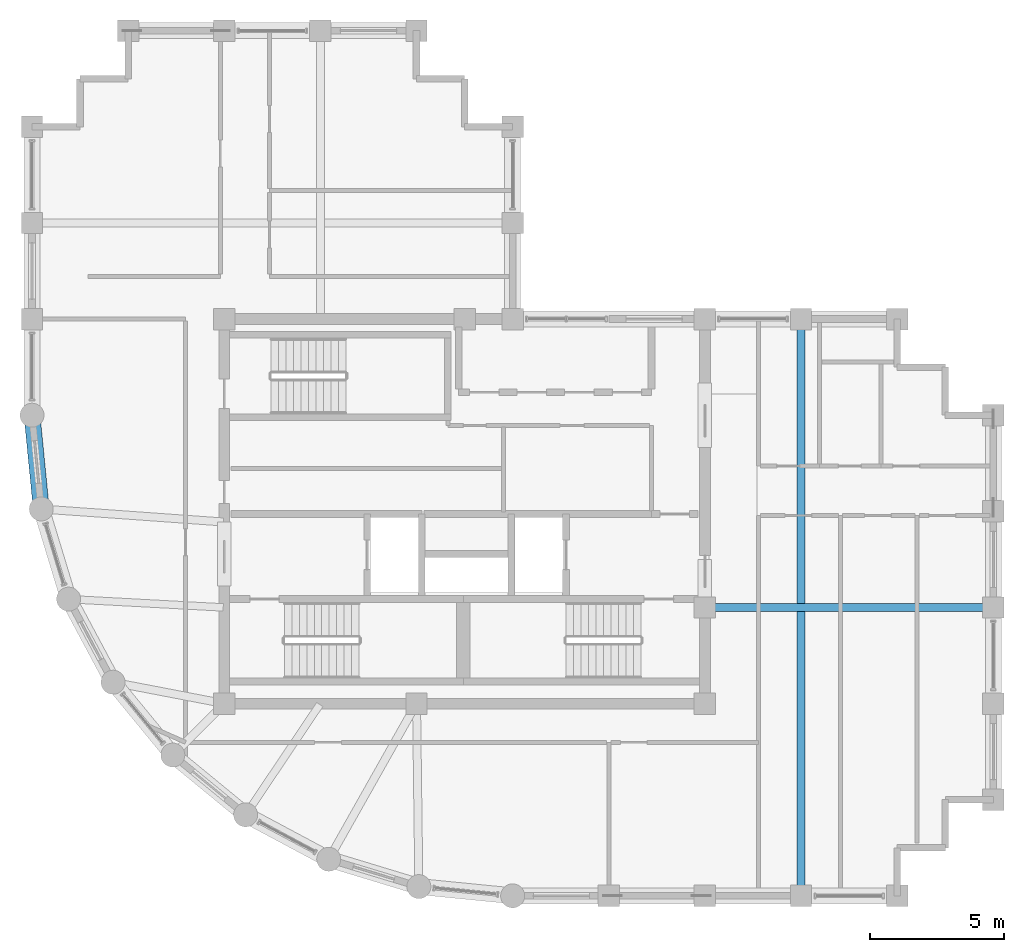
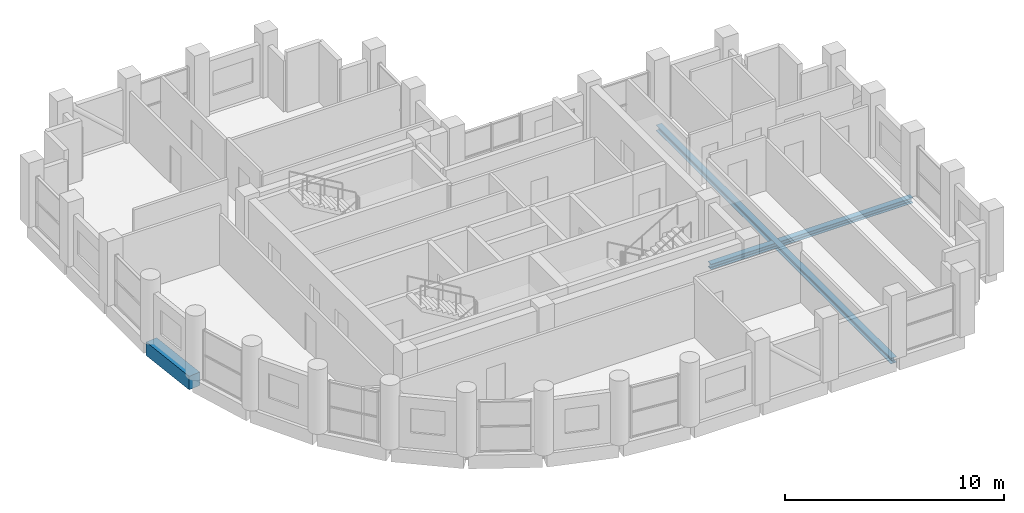
# One storey, part 6 of 17: 3 beams.
"""IFC4 building model written with IfcOpenShell, lengths in metres."""

from ifc_helpers import new_model, si_unit, direction, frame, origin, origin_2d, place, context, subcontext, project, spatial, rectangle, i_section, extrude, material, material_profile, profile_set, type_object, element, save


model = new_model("IFC4")

# Units and contexts
model_context = context("Model", 3, precision=1e-05, world=origin(), true_north=direction((0.0, 1.0)))
body_context = subcontext(model_context, "Body", "Model", "MODEL_VIEW")
ifc_project = project(units=[si_unit("LENGTHUNIT", "METRE"), si_unit("AREAUNIT", "SQUARE_METRE"), si_unit("VOLUMEUNIT", "CUBIC_METRE"), si_unit("PLANEANGLEUNIT", "RADIAN"), si_unit("MASSUNIT", "GRAM", prefix="KILO")], contexts=[model_context])

# Site, building, storey
site_placement = place(None, origin())
site = spatial("IfcSite", under=ifc_project, at=site_placement, CompositionType="ELEMENT")
building_placement = place(site_placement, origin())
building = spatial("IfcBuilding", under=site, at=building_placement, Name="Solnavia Interchange Tower", CompositionType="ELEMENT")
storey_placement = place(building_placement, frame((0.0, 0.0, 291.800048828125)))
storey = spatial("IfcBuildingStorey", under=building, at=storey_placement, Name="L74", CompositionType="ELEMENT", Elevation=291.800048828125)

# Beams
ifc_material_1 = material(Name="Steel S460", Category="steel")
ifc_material_profile_1 = material_profile(ifc_material_1, i_section(OverallWidth=0.300048828125, OverallDepth=0.300048828125, WebThickness=0.010986328125, FlangeThickness=0.01904296875, FilletRadius=0.027099609375, at=origin_2d()), Name="HEB 300")
ifc_profile_set_1 = profile_set([ifc_material_profile_1], Name="Steel S460")
beam_type_1 = type_object("IfcBeamType", Name="Beam-Girder-HEB300", PredefinedType="BEAM", material=ifc_profile_set_1)
beam_1_placement = place(storey_placement, frame((32.47998046875, 14.39990234375, -0.400146484375), z_axis=(1.0, 0.0, 0.0), x_axis=(0.0, 1.0, 0.0)))
element("IfcBeam", 1, at=beam_1_placement, inside=storey, type_object=beam_type_1, Name="GRD-L74-ES01 East wing spine girder", PredefinedType="BEAM", context=body_context, shape_type="SweptSolid", body=[
    extrude(i_section(OverallWidth=0.300048828125, OverallDepth=0.300048828125, WebThickness=0.010986328125, FlangeThickness=0.01904296875, FilletRadius=0.027099609375, at=origin_2d()), origin(), (0.0, 0.0, 1.0), 10.64013671875),
])
ifc_material_2 = material(Name="Steel S355", Category="steel")
ifc_material_profile_2 = material_profile(ifc_material_2, i_section(OverallWidth=0.300048828125, OverallDepth=0.31005859375, WebThickness=0.009033203125, FlangeThickness=0.015380859375, FilletRadius=0.027099609375, at=origin_2d()), Name="HEA 320")
ifc_profile_set_2 = profile_set([ifc_material_profile_2], Name="Steel S355")
beam_type_2 = type_object("IfcBeamType", Name="Beam-Primary-HEA320", PredefinedType="BEAM", material=ifc_profile_set_2)
beam_2_placement = place(storey_placement, frame((36.0, 3.679931640625, -0.405029296875), z_axis=(0.0, 1.0, 0.0), x_axis=(-1.0, 0.0, 0.0)))
element("IfcBeam", 2, at=beam_2_placement, inside=storey, type_object=beam_type_2, Name="GRD-L74-EW02 East wing primary floor girder", PredefinedType="BEAM", context=body_context, shape_type="SweptSolid", body=[
    extrude(i_section(OverallWidth=0.300048828125, OverallDepth=0.31005859375, WebThickness=0.009033203125, FlangeThickness=0.015380859375, FilletRadius=0.027099609375, at=origin_2d()), origin(), (0.0, 0.0, 1.0), 21.440185546875),
])
ifc_material_3 = material(Name="Concrete C50/60", Category="concrete")
ifc_material_profile_3 = material_profile(ifc_material_3, rectangle(XDim=0.60009765625, YDim=0.75, at=origin_2d()), Name="RC 600x750")
ifc_profile_set_3 = profile_set([ifc_material_profile_3], Name="Concrete C50/60")
beam_type_3 = type_object("IfcBeamType", Name="Beam-Spandrel-RC600x750", PredefinedType="SPANDREL", material=ifc_profile_set_3)
beam_3_placement = place(storey_placement, frame((7.207763671875, 21.5205078125, -0.375), z_axis=(0.098040038117, -0.995182471171, 0.0), x_axis=(0.995182471171, 0.098040038117, 0.0)))
element("IfcBeam", 3, at=beam_3_placement, inside=storey, type_object=beam_type_3, Name="SPB-L74-01 Framed-tube perimeter spandrel beam", PredefinedType="SPANDREL", context=body_context, shape_type="SweptSolid", body=[
    extrude(rectangle(XDim=0.60009765625, YDim=0.75, at=origin_2d()), origin(), (0.0, 0.0, 1.0), 3.369140625),
])

save(model, "model.ifc")
